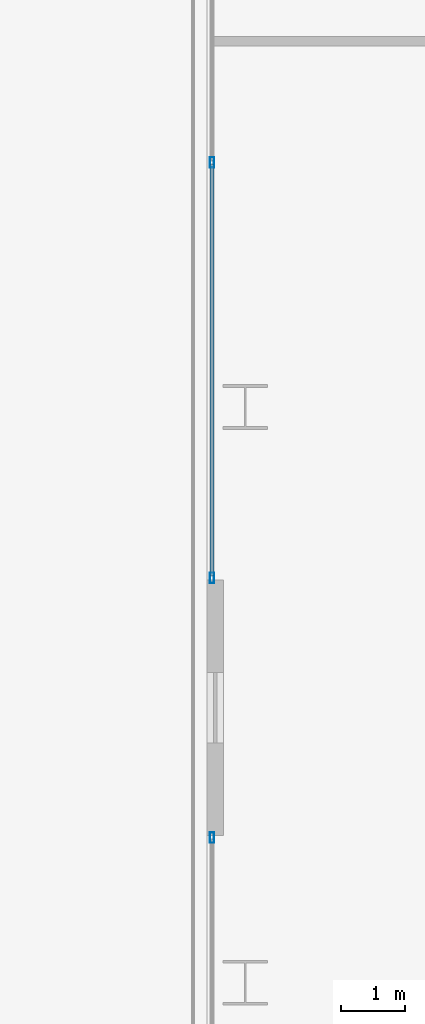
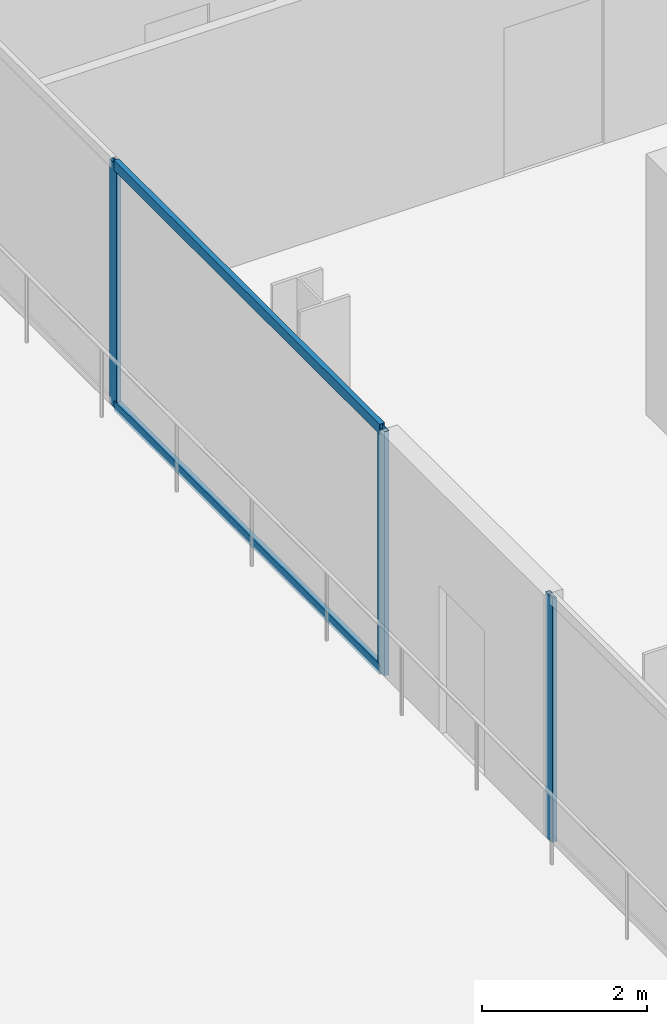
# One storey, part 6 of 31: 5 members, 2 elements without a shape of their own.
"""IFC4 building model written with IfcOpenShell, lengths in metres."""

from ifc_helpers import new_model, si_unit, direction, frame, origin, origin_2d, place, context, subcontext, project, spatial, hollow_rectangle, extrude, material, layer, layer_set, material_profile, profile_set, type_object, element, aggregate, save


model = new_model("IFC4")

# Units and contexts
model_context = context("Model", 3, precision=1e-05, world=origin(), true_north=direction((0.0, 1.0)))
body_context = subcontext(model_context, "Body", "Model", "MODEL_VIEW")
ifc_project = project(units=[si_unit("LENGTHUNIT", "METRE"), si_unit("AREAUNIT", "SQUARE_METRE"), si_unit("VOLUMEUNIT", "CUBIC_METRE"), si_unit("PLANEANGLEUNIT", "RADIAN"), si_unit("MASSUNIT", "GRAM", prefix="KILO")], contexts=[model_context])

# Site, building, storey
site_placement = place(None, origin())
site = spatial("IfcSite", under=ifc_project, at=site_placement, CompositionType="ELEMENT")
building_placement = place(site_placement, origin())
building = spatial("IfcBuilding", under=site, at=building_placement, Name="Maruvema Waterfront Hotel and Observation Tower", CompositionType="ELEMENT")
storey_placement = place(building_placement, frame((0.0, 0.0, 26.949951171875)))
storey = spatial("IfcBuildingStorey", under=building, at=storey_placement, Name="L05", CompositionType="ELEMENT", Elevation=26.949951171875)

# Curtain wall, members
ifc_material_1 = material(Name="Anodised bronze aluminium and solar-control low-E IGU", Category="aluminium")
ifc_layer = layer(ifc_material_1, 0.159912109375, Name="Zone 1 Bronze Inner Thermal Curtain Wall System CW-02")
ifc_layer_set = layer_set([ifc_layer], Name="Anodised bronze aluminium and solar-control low-E IGU")
curtain_wall_type = type_object("IfcCurtainWallType", Name="Zone 1 Bronze Inner Thermal Curtain Wall System CW-02", PredefinedType="USERDEFINED", material=ifc_layer_set)
curtain_wall_1_placement = place(storey_placement, origin())
curtain_wall_1 = element("IfcCurtainWall", 1, at=curtain_wall_1_placement, inside=storey, type_object=curtain_wall_type, Name="L05 Curtain Wall CW-L05-WN", ObjectType="UNITISED CURTAIN WALL", PredefinedType="USERDEFINED")
ifc_material_2 = material(Name="Anodised architectural bronze aluminium", Category="aluminium")
ifc_material_profile_1 = material_profile(ifc_material_2, hollow_rectangle(XDim=0.070068359375, YDim=0.14990234375, WallThickness=0.00390625, at=origin_2d()), Name="ALU-T70x150")
ifc_profile_set_1 = profile_set([ifc_material_profile_1], Name="Anodised architectural bronze aluminium")
member_type_1 = type_object("IfcMemberType", Name="Curtain Wall Horizontal Transom ALU-T70x150", PredefinedType="USERDEFINED", material=ifc_profile_set_1)
member_1_placement = place(storey_placement, frame((10.8798828125, 30.794921875, 0.030029296875), z_axis=(0.0, -1.0, 0.0), x_axis=(1.0, 0.0, 0.0)))
member_1 = element("IfcMember", 2, at=member_1_placement, type_object=member_type_1, Name="CW-02 transom 4.1", ObjectType="TRANSOM", PredefinedType="USERDEFINED", context=body_context, shape_type="SweptSolid", body=[
    extrude(hollow_rectangle(XDim=0.070068359375, YDim=0.14990234375, WallThickness=0.00390625, at=origin_2d()), origin(), (0.0, 0.0, 1.0), 6.434814453125),
])
member_2_placement = place(storey_placement, frame((10.8798828125, 30.794921875, 3.580078125), z_axis=(0.0, -1.0, 0.0), x_axis=(1.0, 0.0, 0.0)))
member_2 = element("IfcMember", 3, at=member_2_placement, type_object=member_type_1, Name="CW-02 transom 4.2", ObjectType="TRANSOM", PredefinedType="USERDEFINED", context=body_context, shape_type="SweptSolid", body=[
    extrude(hollow_rectangle(XDim=0.070068359375, YDim=0.14990234375, WallThickness=0.00390625, at=origin_2d()), origin(), (0.0, 0.0, 1.0), 6.434814453125),
])

# Curtain wall, member
curtain_wall_2_placement = place(storey_placement, origin())
curtain_wall_2 = element("IfcCurtainWall", 4, at=curtain_wall_2_placement, inside=storey, type_object=curtain_wall_type, Name="L05 Curtain Wall CW-L05-WS", ObjectType="UNITISED CURTAIN WALL", PredefinedType="USERDEFINED")
ifc_material_3 = material(Name="Anodised architectural bronze aluminium", Category="aluminium")
ifc_material_profile_2 = material_profile(ifc_material_3, hollow_rectangle(XDim=0.06494140625, YDim=0.1650390625, WallThickness=0.00390625, at=origin_2d()), Name="ALU-M65x165")
ifc_profile_set_2 = profile_set([ifc_material_profile_2], Name="Anodised architectural bronze aluminium")
member_type_2 = type_object("IfcMemberType", Name="Curtain Wall Primary Mullion ALU-M65x165", PredefinedType="MULLION", material=ifc_profile_set_2)
member_3_placement = place(storey_placement, frame((10.8798828125, 20.27001953125, 0.0), z_axis=(0.0, 0.0, 1.0), x_axis=(1.0, 0.0, 0.0)))
member_3 = element("IfcMember", 5, at=member_3_placement, type_object=member_type_2, Name="CW-02 mullion 1", PredefinedType="MULLION", context=body_context, shape_type="SweptSolid", body=[
    extrude(hollow_rectangle(XDim=0.06494140625, YDim=0.1650390625, WallThickness=0.00390625, at=origin_2d()), origin(), (0.0, 0.0, 1.0), 3.610107421875),
])
aggregate(curtain_wall_2, [member_3])

# Member
member_4_placement = place(storey_placement, frame((10.8798828125, 30.824951171875, 0.0), z_axis=(0.0, 0.0, 1.0), x_axis=(1.0, 0.0, 0.0)))
member_4 = element("IfcMember", 6, at=member_4_placement, type_object=member_type_2, Name="CW-02 mullion 4", PredefinedType="MULLION", context=body_context, shape_type="SweptSolid", body=[
    extrude(hollow_rectangle(XDim=0.06494140625, YDim=0.1650390625, WallThickness=0.00390625, at=origin_2d()), origin(), (0.0, 0.0, 1.0), 3.610107421875),
])

member_5_placement = place(storey_placement, frame((10.8798828125, 24.330078125, 0.0), z_axis=(0.0, 0.0, 1.0), x_axis=(1.0, 0.0, 0.0)))
member_5 = element("IfcMember", 7, at=member_5_placement, type_object=member_type_2, Name="CW-02 mullion 5", PredefinedType="MULLION", context=body_context, shape_type="SweptSolid", body=[
    extrude(hollow_rectangle(XDim=0.06494140625, YDim=0.1650390625, WallThickness=0.00390625, at=origin_2d()), origin(), (0.0, 0.0, 1.0), 3.610107421875),
])

aggregate(curtain_wall_1, [member_4, member_5, member_1, member_2])

save(model, "model.ifc")
